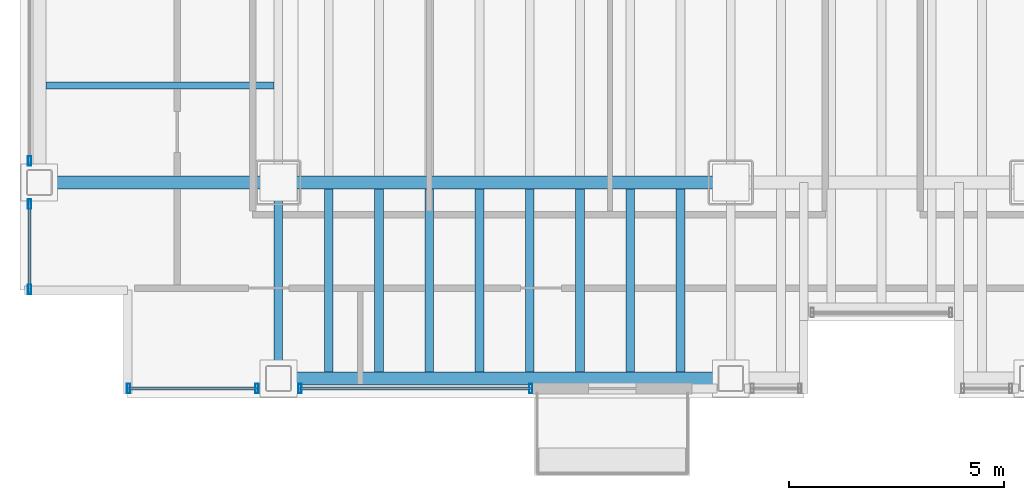
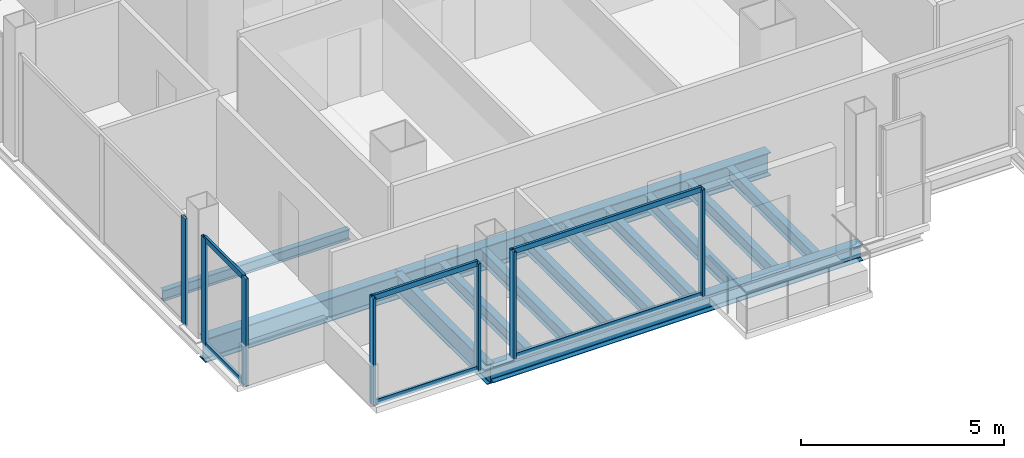
# One storey, part 2 of 20: 13 beams, 13 members, 4 elements without a shape of their own.
"""IFC4 building model written with IfcOpenShell, lengths in metres."""

from ifc_helpers import new_model, si_unit, direction, frame, origin, origin_2d, place, context, subcontext, project, spatial, hollow_rectangle, i_section, extrude, material, material_profile, profile_set, type_object, element, aggregate, save


model = new_model("IFC4")

# Units and contexts
model_context = context("Model", 3, precision=1e-05, world=origin(), true_north=direction((0.0, 1.0)))
body_context = subcontext(model_context, "Body", "Model", "MODEL_VIEW")
ifc_project = project(units=[si_unit("LENGTHUNIT", "METRE"), si_unit("AREAUNIT", "SQUARE_METRE"), si_unit("VOLUMEUNIT", "CUBIC_METRE"), si_unit("PLANEANGLEUNIT", "RADIAN"), si_unit("MASSUNIT", "GRAM", prefix="KILO")], contexts=[model_context])

# Site, building, storey
site_placement = place(None, origin())
site = spatial("IfcSite", under=ifc_project, at=site_placement, CompositionType="ELEMENT")
building_placement = place(site_placement, origin())
building = spatial("IfcBuilding", under=site, at=building_placement, Name="Noeulbin Bourse Tower", CompositionType="ELEMENT")
storey_placement = place(building_placement, frame((0.0, 0.0, 57.699951171875)))
storey = spatial("IfcBuildingStorey", under=building, at=storey_placement, Name="L14", CompositionType="ELEMENT", Elevation=57.699951171875)

# Beams
ifc_material_1 = material(Name="Steel S355", Category="steel")
ifc_material_profile_1 = material_profile(ifc_material_1, i_section(OverallWidth=0.199951171875, OverallDepth=0.60009765625, WebThickness=0.010986328125, FlangeThickness=0.01708984375, FilletRadius=0.02197265625, at=origin_2d()), Name="H-600x200x11x17", Category="LoadBearing")
ifc_profile_set_1 = profile_set([ifc_material_profile_1], Name="Steel S355")
beam_type_1 = type_object("IfcBeamType", Name="BM-GRD-600", PredefinedType="USERDEFINED", material=ifc_profile_set_1)
beam_1_placement = place(storey_placement, frame((13.5, 15.449951171875, -0.47998046875), z_axis=(0.0, 1.0, 0.0), x_axis=(-1.0, 0.0, 0.0)))
element("IfcBeam", 1, at=beam_1_placement, inside=storey, type_object=beam_type_1, Name="Tower Primary Girder NS L14-1.1", ObjectType="GIRDER", PredefinedType="USERDEFINED", context=body_context, shape_type="SweptSolid", body=[
    extrude(i_section(OverallWidth=0.199951171875, OverallDepth=0.60009765625, WebThickness=0.010986328125, FlangeThickness=0.01708984375, FilletRadius=0.02197265625, at=origin_2d()), origin(), (0.0, 0.0, 1.0), 4.550048828125),
])
ifc_material_profile_2 = material_profile(ifc_material_1, i_section(OverallWidth=0.300048828125, OverallDepth=0.699951171875, WebThickness=0.012939453125, FlangeThickness=0.02392578125, FilletRadius=0.02392578125, at=origin_2d()), Name="H-700x300x13x24", Category="LoadBearing")
ifc_profile_set_2 = profile_set([ifc_material_profile_2], Name="Steel S355")
beam_type_2 = type_object("IfcBeamType", Name="BM-GRD-700", PredefinedType="USERDEFINED", material=ifc_profile_set_2)
beam_2_placement = place(storey_placement, frame((7.949951171875, 20.0, -0.530029296875), z_axis=(1.0, 0.0, 0.0), x_axis=(0.0, 1.0, 0.0)))
element("IfcBeam", 2, at=beam_2_placement, inside=storey, type_object=beam_type_2, Name="Tower Primary Girder EW L14-1.1", ObjectType="GIRDER", PredefinedType="USERDEFINED", context=body_context, shape_type="SweptSolid", body=[
    extrude(i_section(OverallWidth=0.300048828125, OverallDepth=0.699951171875, WebThickness=0.012939453125, FlangeThickness=0.02392578125, FilletRadius=0.02392578125, at=origin_2d()), origin(), (0.0, 0.0, 1.0), 5.550048828125),
])
beam_3_placement = place(storey_placement, frame((13.5, 20.0, -0.530029296875), z_axis=(1.0, 0.0, 0.0), x_axis=(0.0, 1.0, 0.0)))
element("IfcBeam", 3, at=beam_3_placement, inside=storey, type_object=beam_type_2, Name="Tower Primary Girder EW L14-1.2", ObjectType="GIRDER", PredefinedType="USERDEFINED", context=body_context, shape_type="SweptSolid", body=[
    extrude(i_section(OverallWidth=0.300048828125, OverallDepth=0.699951171875, WebThickness=0.012939453125, FlangeThickness=0.02392578125, FilletRadius=0.02392578125, at=origin_2d()), origin(), (0.0, 0.0, 1.0), 10.5),
])
ifc_material_profile_3 = material_profile(ifc_material_1, i_section(OverallWidth=0.159912109375, OverallDepth=0.320068359375, WebThickness=0.006591796875, FlangeThickness=0.010009765625, FilletRadius=0.012939453125, at=origin_2d()), Name="H-320x160x6.5x10", Category="LoadBearing")
ifc_profile_set_3 = profile_set([ifc_material_profile_3], Name="Steel S355")
beam_type_3 = type_object("IfcBeamType", Name="BM-JST-320", PredefinedType="JOIST", material=ifc_profile_set_3)
beam_4_placement = place(storey_placement, frame((8.10009765625, 22.25, -0.33984375), z_axis=(1.0, 0.0, 0.0), x_axis=(0.0, 1.0, 0.0)))
element("IfcBeam", 4, at=beam_4_placement, inside=storey, type_object=beam_type_3, Name="Wing Composite Joist L14-W70", PredefinedType="JOIST", context=body_context, shape_type="SweptSolid", body=[
    extrude(i_section(OverallWidth=0.159912109375, OverallDepth=0.320068359375, WebThickness=0.006591796875, FlangeThickness=0.010009765625, FilletRadius=0.012939453125, at=origin_2d()), origin(), (0.0, 0.0, 1.0), 5.2998046875),
])
ifc_material_profile_4 = material_profile(ifc_material_1, i_section(OverallWidth=0.199951171875, OverallDepth=0.39990234375, WebThickness=0.008056640625, FlangeThickness=0.012939453125, FilletRadius=0.01611328125, at=origin_2d()), Name="H-400x200x8x13", Category="LoadBearing")
ifc_profile_set_4 = profile_set([ifc_material_profile_4], Name="Steel S355")
beam_type_4 = type_object("IfcBeamType", Name="BM-SEC-400", PredefinedType="BEAM", material=ifc_profile_set_4)
for number, where, z_axis, x_axis, name in (
    (5, (14.666748046875, 15.60009765625, -0.3798828125), (0.0, 1.0, 0.0), (-1.0, 0.0, 0.0), "Tower Composite Joist L14-01"),
    (6, (15.833251953125, 15.60009765625, -0.3798828125), (0.0, 1.0, 0.0), (-1.0, 0.0, 0.0), "Tower Composite Joist L14-04"),
    (7, (17.0, 15.60009765625, -0.3798828125), (0.0, 1.0, 0.0), (-1.0, 0.0, 0.0), "Tower Composite Joist L14-07"),
    (8, (18.166748046875, 15.60009765625, -0.3798828125), (0.0, 1.0, 0.0), (-1.0, 0.0, 0.0), "Tower Composite Joist L14-10"),
    (9, (19.333251953125, 15.60009765625, -0.3798828125), (0.0, 1.0, 0.0), (-1.0, 0.0, 0.0), "Tower Composite Joist L14-13"),
    (10, (20.5, 15.60009765625, -0.3798828125), (0.0, 1.0, 0.0), (-1.0, 0.0, 0.0), "Tower Composite Joist L14-16"),
    (11, (21.666748046875, 15.60009765625, -0.3798828125), (0.0, 1.0, 0.0), (-1.0, 0.0, 0.0), "Tower Composite Joist L14-19"),
    (12, (22.833251953125, 15.60009765625, -0.3798828125), (0.0, 1.0, 0.0), (-1.0, 0.0, 0.0), "Tower Composite Joist L14-22"),
):
    element("IfcBeam", number, at=place(storey_placement, frame(where, z_axis=z_axis, x_axis=x_axis)), inside=storey, type_object=beam_type_4, Name=name, PredefinedType="BEAM", context=body_context, shape_type="SweptSolid", body=[
        extrude(i_section(OverallWidth=0.199951171875, OverallDepth=0.39990234375, WebThickness=0.008056640625, FlangeThickness=0.012939453125, FilletRadius=0.01611328125, at=origin_2d()), origin(), (0.0, 0.0, 1.0), 4.25),
    ])
ifc_material_profile_5 = material_profile(ifc_material_1, i_section(OverallWidth=0.300048828125, OverallDepth=0.488037109375, WebThickness=0.010986328125, FlangeThickness=0.01806640625, FilletRadius=0.02197265625, at=origin_2d()), Name="H-488x300x11x18", Category="LoadBearing")
ifc_profile_set_5 = profile_set([ifc_material_profile_5], Name="Steel S355")
beam_type_5 = type_object("IfcBeamType", Name="BM-SPN-488", PredefinedType="SPANDREL", material=ifc_profile_set_5)
beam_5_placement = place(storey_placement, frame((13.5, 15.449951171875, -0.424072265625), z_axis=(1.0, 0.0, 0.0), x_axis=(0.0, 1.0, 0.0)))
element("IfcBeam", 13, at=beam_5_placement, inside=storey, type_object=beam_type_5, Name="South Spandrel L14-1", PredefinedType="SPANDREL", context=body_context, shape_type="SweptSolid", body=[
    extrude(i_section(OverallWidth=0.300048828125, OverallDepth=0.488037109375, WebThickness=0.010986328125, FlangeThickness=0.01806640625, FilletRadius=0.02197265625, at=origin_2d()), origin(), (0.0, 0.0, 1.0), 10.5),
])

# Curtain wall, members
ifc_material_2 = material(Name="Dark Solar-Control Double Glazing", Category="glass")
curtain_wall_type = type_object("IfcCurtainWallType", Name="CW-SYS-2", PredefinedType="NOTDEFINED", material=ifc_material_2)
curtain_wall_1_placement = place(storey_placement, origin())
curtain_wall_1 = element("IfcCurtainWall", 14, at=curtain_wall_1_placement, inside=storey, type_object=curtain_wall_type, Name="Unitised Curtain Wall CW-L14-S1-S1", PredefinedType="NOTDEFINED")
ifc_material_3 = material(Name="Anodised Aluminium 6063-T6", Category="aluminium")
ifc_material_profile_6 = material_profile(ifc_material_3, hollow_rectangle(XDim=0.074951171875, YDim=0.219970703125, WallThickness=0.0048828125, InnerFilletRadius=0.00244140625, OuterFilletRadius=0.0048828125, at=origin_2d()), Name="ALU-MULL-75x220x5", Category="LoadBearing")
ifc_profile_set_6 = profile_set([ifc_material_profile_6], Name="Anodised Aluminium 6063-T6")
member_type_1 = type_object("IfcMemberType", Name="CW-SYS-2-MUL", PredefinedType="MULLION", material=ifc_profile_set_6)
member_1_placement = place(storey_placement, frame((10.02001953125, 15.219970703125, -0.02001953125), z_axis=(0.0, 0.0, 1.0), x_axis=(1.0, 0.0, 0.0)))
member_1 = element("IfcMember", 15, at=member_1_placement, type_object=member_type_1, Name="Curtain Wall Mullion CW-L14-S1-S1-M00", PredefinedType="MULLION", context=body_context, shape_type="SweptSolid", body=[
    extrude(hollow_rectangle(XDim=0.074951171875, YDim=0.219970703125, WallThickness=0.0048828125, InnerFilletRadius=0.00244140625, OuterFilletRadius=0.0048828125, at=origin_2d()), origin(), (0.0, 0.0, 1.0), 3.219970703125),
])
member_2_placement = place(storey_placement, frame((13.0, 15.219970703125, -0.02001953125), z_axis=(0.0, 0.0, 1.0), x_axis=(1.0, 0.0, 0.0)))
member_2 = element("IfcMember", 16, at=member_2_placement, type_object=member_type_1, Name="Curtain Wall Mullion CW-L14-S1-S1-M01", PredefinedType="MULLION", context=body_context, shape_type="SweptSolid", body=[
    extrude(hollow_rectangle(XDim=0.074951171875, YDim=0.219970703125, WallThickness=0.0048828125, InnerFilletRadius=0.00244140625, OuterFilletRadius=0.0048828125, at=origin_2d()), origin(), (0.0, 0.0, 1.0), 3.219970703125),
])

curtain_wall_2_placement = place(storey_placement, origin())
curtain_wall_2 = element("IfcCurtainWall", 17, at=curtain_wall_2_placement, inside=storey, type_object=curtain_wall_type, Name="Unitised Curtain Wall CW-L14-S1-S2", PredefinedType="NOTDEFINED")
member_3_placement = place(storey_placement, frame((14.0, 15.219970703125, -0.02001953125), z_axis=(0.0, 0.0, 1.0), x_axis=(1.0, 0.0, 0.0)))
member_3 = element("IfcMember", 18, at=member_3_placement, type_object=member_type_1, Name="Curtain Wall Mullion CW-L14-S1-S2-M00", PredefinedType="MULLION", context=body_context, shape_type="SweptSolid", body=[
    extrude(hollow_rectangle(XDim=0.074951171875, YDim=0.219970703125, WallThickness=0.0048828125, InnerFilletRadius=0.00244140625, OuterFilletRadius=0.0048828125, at=origin_2d()), origin(), (0.0, 0.0, 1.0), 3.219970703125),
])
member_4_placement = place(storey_placement, frame((19.360107421875, 15.219970703125, -0.02001953125), z_axis=(0.0, 0.0, 1.0), x_axis=(1.0, 0.0, 0.0)))
member_4 = element("IfcMember", 19, at=member_4_placement, type_object=member_type_1, Name="Curtain Wall Mullion CW-L14-S1-S2-M01", PredefinedType="MULLION", context=body_context, shape_type="SweptSolid", body=[
    extrude(hollow_rectangle(XDim=0.074951171875, YDim=0.219970703125, WallThickness=0.0048828125, InnerFilletRadius=0.00244140625, OuterFilletRadius=0.0048828125, at=origin_2d()), origin(), (0.0, 0.0, 1.0), 3.219970703125),
])

curtain_wall_3_placement = place(storey_placement, origin())
curtain_wall_3 = element("IfcCurtainWall", 20, at=curtain_wall_3_placement, inside=storey, type_object=curtain_wall_type, Name="Unitised Curtain Wall CW-L14-W-S1", PredefinedType="NOTDEFINED")
member_5_placement = place(storey_placement, frame((7.719970703125, 17.52001953125, -0.02001953125), z_axis=(0.0, 0.0, 1.0), x_axis=(1.0, 0.0, 0.0)))
member_5 = element("IfcMember", 21, at=member_5_placement, type_object=member_type_1, Name="Curtain Wall Mullion CW-L14-W-S1-M00", PredefinedType="MULLION", context=body_context, shape_type="SweptSolid", body=[
    extrude(hollow_rectangle(XDim=0.074951171875, YDim=0.219970703125, WallThickness=0.0048828125, InnerFilletRadius=0.00244140625, OuterFilletRadius=0.0048828125, at=origin_2d()), origin(), (0.0, 0.0, 1.0), 3.219970703125),
])
member_6_placement = place(storey_placement, frame((7.719970703125, 19.5, -0.02001953125), z_axis=(0.0, 0.0, 1.0), x_axis=(1.0, 0.0, 0.0)))
member_6 = element("IfcMember", 22, at=member_6_placement, type_object=member_type_1, Name="Curtain Wall Mullion CW-L14-W-S1-M01", PredefinedType="MULLION", context=body_context, shape_type="SweptSolid", body=[
    extrude(hollow_rectangle(XDim=0.074951171875, YDim=0.219970703125, WallThickness=0.0048828125, InnerFilletRadius=0.00244140625, OuterFilletRadius=0.0048828125, at=origin_2d()), origin(), (0.0, 0.0, 1.0), 3.219970703125),
])

# Curtain wall, member
curtain_wall_4_placement = place(storey_placement, origin())
curtain_wall_4 = element("IfcCurtainWall", 23, at=curtain_wall_4_placement, inside=storey, type_object=curtain_wall_type, Name="Unitised Curtain Wall CW-L14-W-S2", PredefinedType="NOTDEFINED")
member_7_placement = place(storey_placement, frame((7.719970703125, 20.5, -0.02001953125), z_axis=(0.0, 0.0, 1.0), x_axis=(1.0, 0.0, 0.0)))
member_7 = element("IfcMember", 24, at=member_7_placement, type_object=member_type_1, Name="Curtain Wall Mullion CW-L14-W-S2-M00", PredefinedType="MULLION", context=body_context, shape_type="SweptSolid", body=[
    extrude(hollow_rectangle(XDim=0.074951171875, YDim=0.219970703125, WallThickness=0.0048828125, InnerFilletRadius=0.00244140625, OuterFilletRadius=0.0048828125, at=origin_2d()), origin(), (0.0, 0.0, 1.0), 3.219970703125),
])
aggregate(curtain_wall_4, [member_7])

# Member
ifc_material_profile_7 = material_profile(ifc_material_3, hollow_rectangle(XDim=0.074951171875, YDim=0.159912109375, WallThickness=0.0048828125, InnerFilletRadius=0.00244140625, OuterFilletRadius=0.0048828125, at=origin_2d()), Name="ALU-TRAN-75x160x5", Category="LoadBearing")
ifc_profile_set_7 = profile_set([ifc_material_profile_7], Name="Anodised Aluminium 6063-T6")
member_type_2 = type_object("IfcMemberType", Name="CW-SYS-2-TRN", PredefinedType="USERDEFINED", material=ifc_profile_set_7)
member_8_placement = place(storey_placement, frame((10.030029296875, 15.219970703125, 0.010009765625), z_axis=(1.0, 0.0, 0.0), x_axis=(0.0, 1.0, 0.0)))
member_8 = element("IfcMember", 25, at=member_8_placement, type_object=member_type_2, Name="Curtain Wall Transom CW-L14-S1-S1-T00", ObjectType="TRANSOM", PredefinedType="USERDEFINED", context=body_context, shape_type="SweptSolid", body=[
    extrude(hollow_rectangle(XDim=0.074951171875, YDim=0.159912109375, WallThickness=0.0048828125, InnerFilletRadius=0.00244140625, OuterFilletRadius=0.0048828125, at=origin_2d()), origin(), (0.0, 0.0, 1.0), 2.9599609375),
])

member_9_placement = place(storey_placement, frame((10.030029296875, 15.219970703125, 3.170166015625), z_axis=(1.0, 0.0, 0.0), x_axis=(0.0, 1.0, 0.0)))
member_9 = element("IfcMember", 26, at=member_9_placement, type_object=member_type_2, Name="Curtain Wall Transom CW-L14-S1-S1-T01", ObjectType="TRANSOM", PredefinedType="USERDEFINED", context=body_context, shape_type="SweptSolid", body=[
    extrude(hollow_rectangle(XDim=0.074951171875, YDim=0.159912109375, WallThickness=0.0048828125, InnerFilletRadius=0.00244140625, OuterFilletRadius=0.0048828125, at=origin_2d()), origin(), (0.0, 0.0, 1.0), 2.9599609375),
])

aggregate(curtain_wall_1, [member_1, member_2, member_8, member_9])

member_10_placement = place(storey_placement, frame((14.010009765625, 15.219970703125, 0.010009765625), z_axis=(1.0, 0.0, 0.0), x_axis=(0.0, 1.0, 0.0)))
member_10 = element("IfcMember", 27, at=member_10_placement, type_object=member_type_2, Name="Curtain Wall Transom CW-L14-S1-S2-T00", ObjectType="TRANSOM", PredefinedType="USERDEFINED", context=body_context, shape_type="SweptSolid", body=[
    extrude(hollow_rectangle(XDim=0.074951171875, YDim=0.159912109375, WallThickness=0.0048828125, InnerFilletRadius=0.00244140625, OuterFilletRadius=0.0048828125, at=origin_2d()), origin(), (0.0, 0.0, 1.0), 5.340087890625),
])

member_11_placement = place(storey_placement, frame((14.010009765625, 15.219970703125, 3.170166015625), z_axis=(1.0, 0.0, 0.0), x_axis=(0.0, 1.0, 0.0)))
member_11 = element("IfcMember", 28, at=member_11_placement, type_object=member_type_2, Name="Curtain Wall Transom CW-L14-S1-S2-T01", ObjectType="TRANSOM", PredefinedType="USERDEFINED", context=body_context, shape_type="SweptSolid", body=[
    extrude(hollow_rectangle(XDim=0.074951171875, YDim=0.159912109375, WallThickness=0.0048828125, InnerFilletRadius=0.00244140625, OuterFilletRadius=0.0048828125, at=origin_2d()), origin(), (0.0, 0.0, 1.0), 5.340087890625),
])

aggregate(curtain_wall_2, [member_3, member_4, member_10, member_11])

member_12_placement = place(storey_placement, frame((7.719970703125, 17.530029296875, 0.010009765625), z_axis=(0.0, 1.0, 0.0), x_axis=(-1.0, 0.0, 0.0)))
member_12 = element("IfcMember", 29, at=member_12_placement, type_object=member_type_2, Name="Curtain Wall Transom CW-L14-W-S1-T00", ObjectType="TRANSOM", PredefinedType="USERDEFINED", context=body_context, shape_type="SweptSolid", body=[
    extrude(hollow_rectangle(XDim=0.074951171875, YDim=0.159912109375, WallThickness=0.0048828125, InnerFilletRadius=0.00244140625, OuterFilletRadius=0.0048828125, at=origin_2d()), origin(), (0.0, 0.0, 1.0), 1.9599609375),
])

member_13_placement = place(storey_placement, frame((7.719970703125, 17.530029296875, 3.170166015625), z_axis=(0.0, 1.0, 0.0), x_axis=(-1.0, 0.0, 0.0)))
member_13 = element("IfcMember", 30, at=member_13_placement, type_object=member_type_2, Name="Curtain Wall Transom CW-L14-W-S1-T01", ObjectType="TRANSOM", PredefinedType="USERDEFINED", context=body_context, shape_type="SweptSolid", body=[
    extrude(hollow_rectangle(XDim=0.074951171875, YDim=0.159912109375, WallThickness=0.0048828125, InnerFilletRadius=0.00244140625, OuterFilletRadius=0.0048828125, at=origin_2d()), origin(), (0.0, 0.0, 1.0), 1.9599609375),
])

aggregate(curtain_wall_3, [member_5, member_6, member_12, member_13])

save(model, "model.ifc")
